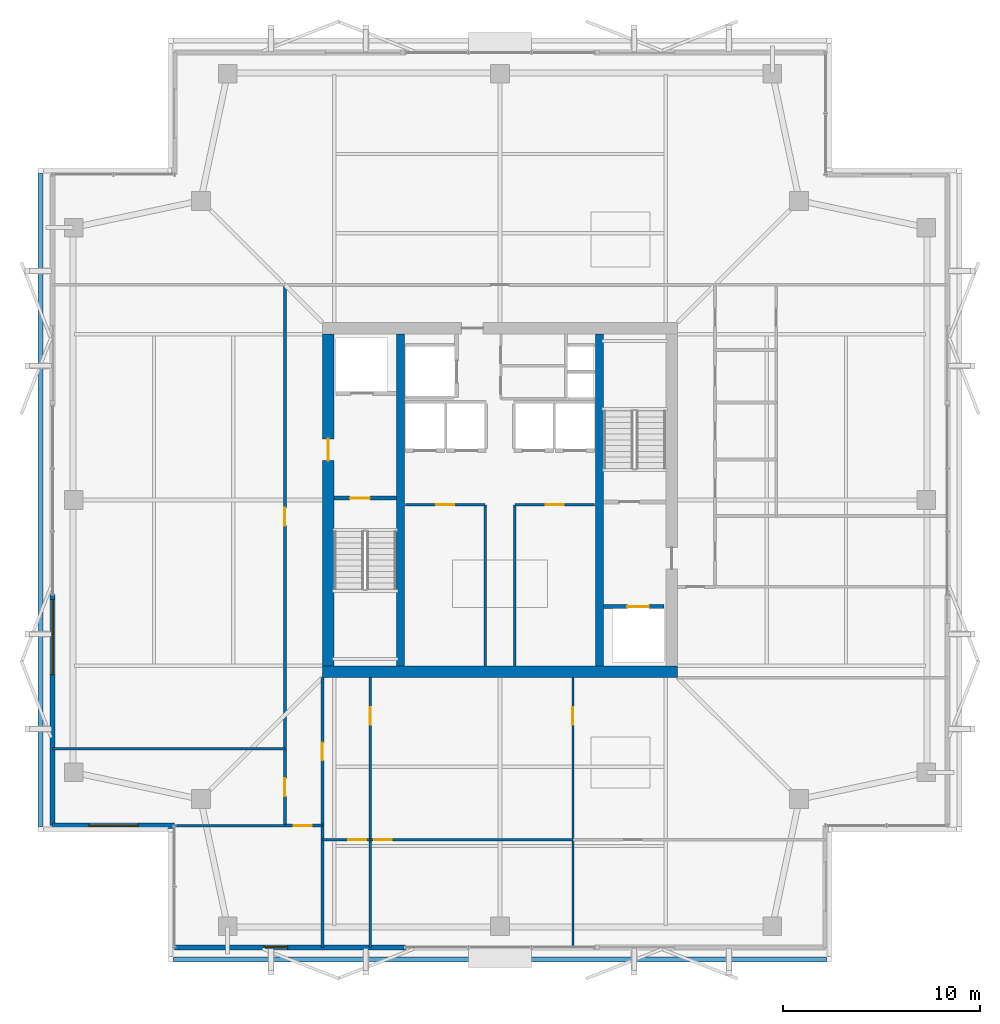
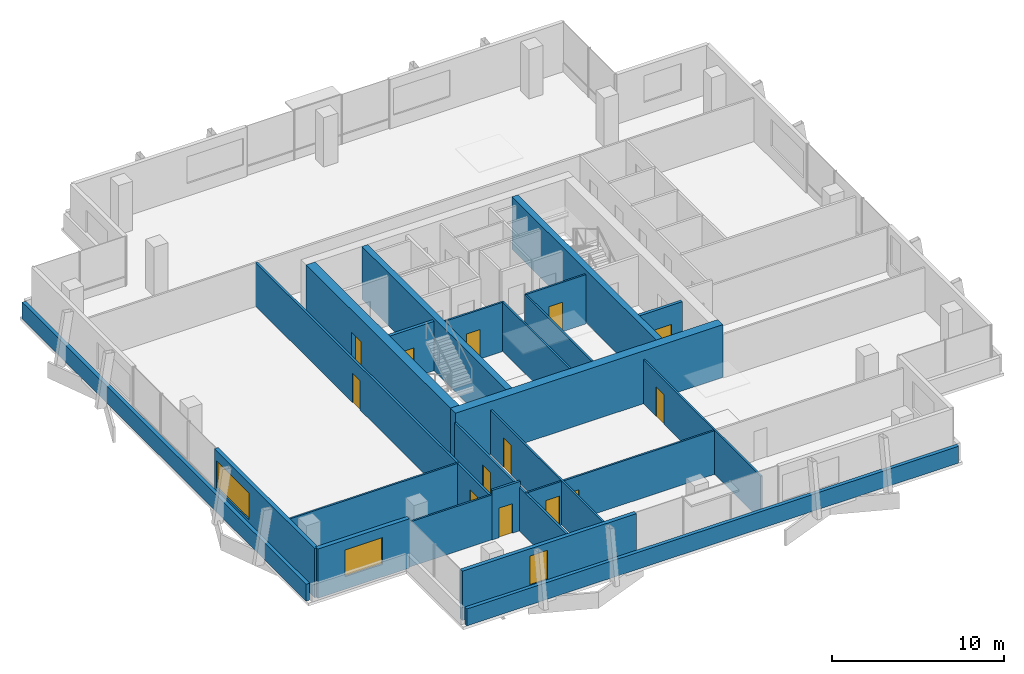
# One storey, part 21 of 26: 24 walls, 13 doors, 3 windows, 16 openings.
"""IFC4 building model written with IfcOpenShell, lengths in metres."""

from ifc_helpers import new_model, si_unit, direction, frame, frame_2d, origin, place, context, subcontext, project, spatial, rectangle, extrude, material, layer, layer_set, type_object, element, fill, save


model = new_model("IFC4")

# Units and contexts
model_context = context("Model", 3, precision=1e-05, world=origin(), true_north=direction((0.0, 1.0)))
body_context = subcontext(model_context, "Body", "Model", "MODEL_VIEW")
ifc_project = project(units=[si_unit("LENGTHUNIT", "METRE"), si_unit("AREAUNIT", "SQUARE_METRE"), si_unit("VOLUMEUNIT", "CUBIC_METRE"), si_unit("PLANEANGLEUNIT", "RADIAN"), si_unit("MASSUNIT", "GRAM", prefix="KILO")], contexts=[model_context])

# Site, building, storey
site_placement = place(None, origin())
site = spatial("IfcSite", under=ifc_project, at=site_placement, CompositionType="ELEMENT")
building_placement = place(site_placement, origin())
building = spatial("IfcBuilding", under=site, at=building_placement, Name="Belovzor Exchange Tower", CompositionType="ELEMENT")
storey_placement = place(building_placement, frame((0.0, 0.0, 295.5)))
storey = spatial("IfcBuildingStorey", under=building, at=storey_placement, Name="L73", CompositionType="ELEMENT", Elevation=295.5)

# Walls
ifc_material_1 = material(Name="Acoustic Plasterboard on Galvanised Studs", Category="gypsum")
ifc_layer_1 = layer(ifc_material_1, 0.1201171875)
ifc_layer_set_1 = layer_set([ifc_layer_1], Name="Acoustic Plasterboard on Galvanised Studs")
wall_type_1 = type_object("IfcWallType", Name="Acoustic Double-Stud Partition Wall 120", PredefinedType="PARTITIONING", material=ifc_layer_set_1)
wall_1_placement = place(storey_placement, frame((6.1298828125, 16.196044921875, 0.0), z_axis=(0.0, 0.0, 1.0), x_axis=(1.0, 0.0, 0.0)))
element("IfcWall", 1, at=wall_1_placement, inside=storey, type_object=wall_type_1, Name="W-P120 Partition Wall W-L73-WDIV-1", PredefinedType="PARTITIONING", context=body_context, shape_type="SweptSolid", body=[
    extrude(rectangle(XDim=11.77001953125, YDim=0.1201171875, at=frame_2d((5.885009765625, 0.0))), origin(), (0.0, 0.0, 1.0), 3.094970703125),
])
wall_2_placement = place(storey_placement, frame((12.300048828125, 12.300048828125, 0.0), z_axis=(0.0, 0.0, 1.0), x_axis=(1.0, 0.0, 0.0)))
element("IfcWall", 2, at=wall_2_placement, inside=storey, type_object=wall_type_1, Name="W-P120 Partition Wall W-L73-SWS", PredefinedType="PARTITIONING", context=body_context, shape_type="SweptSolid", body=[
    extrude(rectangle(XDim=5.599853515625, YDim=0.1201171875, at=frame_2d((2.7998046875, 0.0))), origin(), (0.0, 0.0, 1.0), 3.195068359375),
])

# Wall, opening, door
wall_3_placement = place(storey_placement, frame((19.800048828125, 11.5791015625, 0.0), z_axis=(0.0, 0.0, 1.0), x_axis=(1.0, 0.0, 0.0)))
wall_3 = element("IfcWall", 3, at=wall_3_placement, inside=storey, type_object=wall_type_1, Name="W-P120 Partition Wall W-L73-SHDIV-0", PredefinedType="PARTITIONING", context=body_context, shape_type="SweptSolid", body=[
    extrude(rectangle(XDim=2.4169921875, YDim=0.1201171875, at=frame_2d((1.20849609375, 0.0))), origin(), (0.0, 0.0, 1.0), 3.094970703125),
])
opening_1_placement = place(wall_3_placement, frame((1.31689453125, 0.0, 0.0)))
opening_1 = element("IfcOpeningElement", 4, at=opening_1_placement, cuts=wall_3, Name="Opening D-INT-090", PredefinedType="OPENING", context=body_context, shape_type="SweptSolid", body=[
    extrude(rectangle(XDim=0.89990234375, YDim=2.10009765625, at=frame_2d((0.449951171875, 1.050048828125))), frame((0.0, 0.070068359375, 0.0), z_axis=(0.0, -1.0, 0.0), x_axis=(1.0, 0.0, 0.0)), (0.0, 0.0, 1.0), 0.14013671875),
])
ifc_material_2 = material(Name="Veneered Hardwood Acoustic Leaf", Category="wood")
door_type_1 = type_object("IfcDoorType", Name="Trading Suite Acoustic Single Door 900x2100", OperationType="NOTDEFINED", PredefinedType="DOOR", material=ifc_material_2)
door_1_placement = place(opening_1_placement, origin())
door_1 = element("IfcDoor", 5, at=door_1_placement, inside=storey, type_object=door_type_1, Name="D-INT-090 Trading Suite Acoustic Single Door 900x2100", OperationType="SINGLE_SWING_LEFT", OverallHeight=2.10009765625, OverallWidth=0.89990234375, PredefinedType="DOOR", context=body_context, shape_type="SweptSolid", body=[
    extrude(rectangle(XDim=0.89990234375, YDim=2.10009765625, at=frame_2d((0.449951171875, 1.050048828125))), frame((0.0, 0.02490234375, 0.0), z_axis=(0.0, -1.0, 0.0), x_axis=(1.0, 0.0, 0.0)), (0.0, 0.0, 1.0), 0.050048828125),
])
fill(opening_1, door_1)

wall_4_placement = place(storey_placement, frame((22.217041015625, 6.1298828125, 0.0), z_axis=(0.0, 0.0, 1.0), x_axis=(0.0, 1.0, 0.0)))
wall_4 = element("IfcWall", 6, at=wall_4_placement, inside=storey, type_object=wall_type_1, Name="W-P120 Partition Wall W-L73-SDIV-1", PredefinedType="PARTITIONING", context=body_context, shape_type="SweptSolid", body=[
    extrude(rectangle(XDim=13.670166015625, YDim=0.1201171875, at=frame_2d((6.8349609375, 0.0))), origin(), (0.0, 0.0, 1.0), 3.135009765625),
])
opening_2_placement = place(wall_4_placement, frame((11.27001953125, 0.0, 0.0)))
opening_2 = element("IfcOpeningElement", 7, at=opening_2_placement, cuts=wall_4, Name="Opening D-INT-090", PredefinedType="OPENING", context=body_context, shape_type="SweptSolid", body=[
    extrude(rectangle(XDim=0.89990234375, YDim=2.10009765625, at=frame_2d((0.449951171875, 1.050048828125))), frame((0.0, 0.070068359375, 0.0), z_axis=(0.0, -1.0, 0.0), x_axis=(1.0, 0.0, 0.0)), (0.0, 0.0, 1.0), 0.14013671875),
])
door_2_placement = place(opening_2_placement, origin())
door_2 = element("IfcDoor", 8, at=door_2_placement, inside=storey, type_object=door_type_1, Name="D-INT-090 Trading Suite Acoustic Single Door 900x2100", OperationType="SINGLE_SWING_LEFT", OverallHeight=2.10009765625, OverallWidth=0.89990234375, PredefinedType="DOOR", context=body_context, shape_type="SweptSolid", body=[
    extrude(rectangle(XDim=0.89990234375, YDim=2.10009765625, at=frame_2d((0.449951171875, 1.050048828125))), frame((0.0, 0.02490234375, 0.0), z_axis=(0.0, -1.0, 0.0), x_axis=(1.0, 0.0, 0.0)), (0.0, 0.0, 1.0), 0.050048828125),
])
fill(opening_2, door_2)

wall_5_placement = place(storey_placement, frame((22.217041015625, 11.5791015625, 0.0), z_axis=(0.0, 0.0, 1.0), x_axis=(1.0, 0.0, 0.0)))
wall_5 = element("IfcWall", 9, at=wall_5_placement, inside=storey, type_object=wall_type_1, Name="W-P120 Partition Wall W-L73-SHDIV-1", PredefinedType="PARTITIONING", context=body_context, shape_type="SweptSolid", body=[
    extrude(rectangle(XDim=10.281005859375, YDim=0.1201171875, at=frame_2d((5.140625, 0.0))), origin(), (0.0, 0.0, 1.0), 3.094970703125),
])
opening_3_placement = place(wall_5_placement, frame((0.199951171875, 0.0, 0.0)))
opening_3 = element("IfcOpeningElement", 10, at=opening_3_placement, cuts=wall_5, Name="Opening D-INT-090", PredefinedType="OPENING", context=body_context, shape_type="SweptSolid", body=[
    extrude(rectangle(XDim=0.89990234375, YDim=2.10009765625, at=frame_2d((0.449951171875, 1.050048828125))), frame((0.0, 0.070068359375, 0.0), z_axis=(0.0, -1.0, 0.0), x_axis=(1.0, 0.0, 0.0)), (0.0, 0.0, 1.0), 0.14013671875),
])
door_3_placement = place(opening_3_placement, origin())
door_3 = element("IfcDoor", 11, at=door_3_placement, inside=storey, type_object=door_type_1, Name="D-INT-090 Trading Suite Acoustic Single Door 900x2100", OperationType="SINGLE_SWING_LEFT", OverallHeight=2.10009765625, OverallWidth=0.89990234375, PredefinedType="DOOR", context=body_context, shape_type="SweptSolid", body=[
    extrude(rectangle(XDim=0.89990234375, YDim=2.10009765625, at=frame_2d((0.449951171875, 1.050048828125))), frame((0.0, 0.02490234375, 0.0), z_axis=(0.0, -1.0, 0.0), x_axis=(1.0, 0.0, 0.0)), (0.0, 0.0, 1.0), 0.050048828125),
])
fill(opening_3, door_3)

wall_6_placement = place(storey_placement, frame((32.498046875, 6.1298828125, 0.0), z_axis=(0.0, 0.0, 1.0), x_axis=(0.0, 1.0, 0.0)))
wall_6 = element("IfcWall", 12, at=wall_6_placement, inside=storey, type_object=wall_type_1, Name="W-P120 Partition Wall W-L73-SDIV-2", PredefinedType="PARTITIONING", context=body_context, shape_type="SweptSolid", body=[
    extrude(rectangle(XDim=13.670166015625, YDim=0.1201171875, at=frame_2d((6.8349609375, 0.0))), origin(), (0.0, 0.0, 1.0), 3.135009765625),
])
opening_4_placement = place(wall_6_placement, frame((11.27001953125, 0.0, 0.0)))
opening_4 = element("IfcOpeningElement", 13, at=opening_4_placement, cuts=wall_6, Name="Opening D-INT-090", PredefinedType="OPENING", context=body_context, shape_type="SweptSolid", body=[
    extrude(rectangle(XDim=0.89990234375, YDim=2.10009765625, at=frame_2d((0.449951171875, 1.050048828125))), frame((0.0, 0.070068359375, 0.0), z_axis=(0.0, -1.0, 0.0), x_axis=(1.0, 0.0, 0.0)), (0.0, 0.0, 1.0), 0.14013671875),
])
door_4_placement = place(opening_4_placement, origin())
door_4 = element("IfcDoor", 14, at=door_4_placement, inside=storey, type_object=door_type_1, Name="D-INT-090 Trading Suite Acoustic Single Door 900x2100", OperationType="SINGLE_SWING_LEFT", OverallHeight=2.10009765625, OverallWidth=0.89990234375, PredefinedType="DOOR", context=body_context, shape_type="SweptSolid", body=[
    extrude(rectangle(XDim=0.89990234375, YDim=2.10009765625, at=frame_2d((0.449951171875, 1.050048828125))), frame((0.0, 0.02490234375, 0.0), z_axis=(0.0, -1.0, 0.0), x_axis=(1.0, 0.0, 0.0)), (0.0, 0.0, 1.0), 0.050048828125),
])
fill(opening_4, door_4)

ifc_material_3 = material(Name="Fire-Rated Plasterboard on Galvanised Studs", Category="gypsum")
ifc_layer_2 = layer(ifc_material_3, 0.1201171875)
ifc_layer_set_2 = layer_set([ifc_layer_2], Name="Fire-Rated Plasterboard on Galvanised Studs")
wall_type_2 = type_object("IfcWallType", Name="Fire-Rated Double-Stud Partition Wall 120", PredefinedType="PARTITIONING", material=ifc_layer_set_2)
wall_7_placement = place(storey_placement, frame((24.0, 28.550048828125, 0.0), z_axis=(0.0, 0.0, 1.0), x_axis=(1.0, 0.0, 0.0)))
wall_7 = element("IfcWall", 15, at=wall_7_placement, inside=storey, type_object=wall_type_2, Name="W-P120F Partition Wall W-CRWB-L73-N", PredefinedType="PARTITIONING", context=body_context, shape_type="SweptSolid", body=[
    extrude(rectangle(XDim=4.050048828125, YDim=0.1201171875, at=frame_2d((2.02490234375, 0.0))), origin(), (0.0, 0.0, 1.0), 3.510009765625),
])
opening_5_placement = place(wall_7_placement, frame((1.574951171875, 0.0, 0.0)))
opening_5 = element("IfcOpeningElement", 16, at=opening_5_placement, cuts=wall_7, Name="Opening D-FD60-090", PredefinedType="OPENING", context=body_context, shape_type="SweptSolid", body=[
    extrude(rectangle(XDim=0.89990234375, YDim=2.10009765625, at=frame_2d((0.449951171875, 1.050048828125))), frame((0.0, 0.070068359375, 0.0), z_axis=(0.0, -1.0, 0.0), x_axis=(1.0, 0.0, 0.0)), (0.0, 0.0, 1.0), 0.14013671875),
])
ifc_material_4 = material(Name="Acoustic Timber Fire Leaf", Category="wood")
door_type_2 = type_object("IfcDoorType", Name="Core Service & Restroom Fire Door 900x2100", OperationType="NOTDEFINED", PredefinedType="DOOR", material=ifc_material_4)
door_5_placement = place(opening_5_placement, origin())
door_5 = element("IfcDoor", 17, at=door_5_placement, inside=storey, type_object=door_type_2, Name="D-FD60-090 Core Service & Restroom Fire Door 900x2100", OperationType="SINGLE_SWING_LEFT", OverallHeight=2.10009765625, OverallWidth=0.89990234375, PredefinedType="DOOR", context=body_context, shape_type="SweptSolid", body=[
    extrude(rectangle(XDim=0.89990234375, YDim=2.10009765625, at=frame_2d((0.449951171875, 1.050048828125))), frame((0.0, 0.02490234375, 0.0), z_axis=(0.0, -1.0, 0.0), x_axis=(1.0, 0.0, 0.0)), (0.0, 0.0, 1.0), 0.050048828125),
])
fill(opening_5, door_5)

# Wall
wall_8_placement = place(storey_placement, frame((28.050048828125, 20.39990234375, 0.0), z_axis=(0.0, 0.0, 1.0), x_axis=(0.0, 1.0, 0.0)))
element("IfcWall", 18, at=wall_8_placement, inside=storey, type_object=wall_type_2, Name="W-P120F Partition Wall W-CRWB-L73-E", PredefinedType="PARTITIONING", context=body_context, shape_type="SweptSolid", body=[
    extrude(rectangle(XDim=8.150146484375, YDim=0.1201171875, at=frame_2d((4.0751953125, 0.0))), origin(), (0.0, 0.0, 1.0), 3.510009765625),
])

# Wall, opening, door
wall_9_placement = place(storey_placement, frame((29.550048828125, 28.550048828125, 0.0), z_axis=(0.0, 0.0, 1.0), x_axis=(1.0, 0.0, 0.0)))
wall_9 = element("IfcWall", 19, at=wall_9_placement, inside=storey, type_object=wall_type_2, Name="W-P120F Partition Wall W-CREB-L73-N", PredefinedType="PARTITIONING", context=body_context, shape_type="SweptSolid", body=[
    extrude(rectangle(XDim=4.050048828125, YDim=0.1201171875, at=frame_2d((2.02490234375, 0.0))), origin(), (0.0, 0.0, 1.0), 3.510009765625),
])
opening_6_placement = place(wall_9_placement, frame((1.574951171875, 0.0, 0.0)))
opening_6 = element("IfcOpeningElement", 20, at=opening_6_placement, cuts=wall_9, Name="Opening D-FD60-090", PredefinedType="OPENING", context=body_context, shape_type="SweptSolid", body=[
    extrude(rectangle(XDim=0.89990234375, YDim=2.10009765625, at=frame_2d((0.449951171875, 1.050048828125))), frame((0.0, 0.070068359375, 0.0), z_axis=(0.0, -1.0, 0.0), x_axis=(1.0, 0.0, 0.0)), (0.0, 0.0, 1.0), 0.14013671875),
])
door_6_placement = place(opening_6_placement, origin())
door_6 = element("IfcDoor", 21, at=door_6_placement, inside=storey, type_object=door_type_2, Name="D-FD60-090 Core Service & Restroom Fire Door 900x2100", OperationType="SINGLE_SWING_RIGHT", OverallHeight=2.10009765625, OverallWidth=0.89990234375, PredefinedType="DOOR", context=body_context, shape_type="SweptSolid", body=[
    extrude(rectangle(XDim=0.89990234375, YDim=2.10009765625, at=frame_2d((0.449951171875, 1.050048828125))), frame((0.0, 0.02490234375, 0.0), z_axis=(0.0, -1.0, 0.0), x_axis=(1.0, 0.0, 0.0)), (0.0, 0.0, 1.0), 0.050048828125),
])
fill(opening_6, door_6)

# Wall
wall_10_placement = place(storey_placement, frame((29.550048828125, 20.39990234375, 0.0), z_axis=(0.0, 0.0, 1.0), x_axis=(0.0, 1.0, 0.0)))
element("IfcWall", 22, at=wall_10_placement, inside=storey, type_object=wall_type_2, Name="W-P120F Partition Wall W-CREB-L73-W", PredefinedType="PARTITIONING", context=body_context, shape_type="SweptSolid", body=[
    extrude(rectangle(XDim=8.150146484375, YDim=0.1201171875, at=frame_2d((4.0751953125, 0.0))), origin(), (0.0, 0.0, 1.0), 3.510009765625),
])

# Wall, opening, door
ifc_material_5 = material(Name="Fire-Rated Gypsum Block and Mineral Wool", Category="gypsum")
ifc_layer_3 = layer(ifc_material_5, 0.14990234375)
ifc_layer_set_3 = layer_set([ifc_layer_3], Name="Fire-Rated Gypsum Block and Mineral Wool")
wall_type_3 = type_object("IfcWallType", Name="Fire-Rated Gypsum Block Corridor Wall 150", PredefinedType="PARTITIONING", material=ifc_layer_set_3)
wall_11_placement = place(storey_placement, frame((17.89990234375, 12.300048828125, 0.0), z_axis=(0.0, 0.0, 1.0), x_axis=(1.0, 0.0, 0.0)))
wall_11 = element("IfcWall", 23, at=wall_11_placement, inside=storey, type_object=wall_type_3, Name="W-P150 Partition Wall W-L73-CW-END", PredefinedType="PARTITIONING", context=body_context, shape_type="SweptSolid", body=[
    extrude(rectangle(XDim=1.900146484375, YDim=0.14990234375, at=frame_2d((0.9501953125, 0.0))), origin(), (0.0, 0.0, 1.0), 3.510009765625),
])
opening_7_placement = place(wall_11_placement, frame((0.449951171875, 0.0, 0.0)))
opening_7 = element("IfcOpeningElement", 24, at=opening_7_placement, cuts=wall_11, Name="Opening D-FD60-090", PredefinedType="OPENING", context=body_context, shape_type="SweptSolid", body=[
    extrude(rectangle(XDim=0.89990234375, YDim=2.10009765625, at=frame_2d((0.449951171875, 1.050048828125))), frame((0.0, 0.0849609375, 0.0), z_axis=(0.0, -1.0, 0.0), x_axis=(1.0, 0.0, 0.0)), (0.0, 0.0, 1.0), 0.169921875),
])
door_7_placement = place(opening_7_placement, origin())
door_7 = element("IfcDoor", 25, at=door_7_placement, inside=storey, type_object=door_type_2, Name="D-FD60-090 Core Service & Restroom Fire Door 900x2100", OperationType="SINGLE_SWING_LEFT", OverallHeight=2.10009765625, OverallWidth=0.89990234375, PredefinedType="DOOR", context=body_context, shape_type="SweptSolid", body=[
    extrude(rectangle(XDim=0.89990234375, YDim=2.10009765625, at=frame_2d((0.449951171875, 1.050048828125))), frame((0.0, 0.02490234375, 0.0), z_axis=(0.0, -1.0, 0.0), x_axis=(1.0, 0.0, 0.0)), (0.0, 0.0, 1.0), 0.050048828125),
])
fill(opening_7, door_7)

wall_12_placement = place(storey_placement, frame((19.800048828125, 6.1298828125, 0.0), z_axis=(0.0, 0.0, 1.0), x_axis=(0.0, 1.0, 0.0)))
wall_12 = element("IfcWall", 26, at=wall_12_placement, inside=storey, type_object=wall_type_3, Name="W-P150 Partition Wall W-L73-CW-E", PredefinedType="PARTITIONING", context=body_context, shape_type="SweptSolid", body=[
    extrude(rectangle(XDim=13.670166015625, YDim=0.14990234375, at=frame_2d((6.8349609375, 0.0))), origin(), (0.0, 0.0, 1.0), 3.094970703125),
])
opening_8_placement = place(wall_12_placement, frame((9.469970703125, 0.0, 0.0)))
opening_8 = element("IfcOpeningElement", 27, at=opening_8_placement, cuts=wall_12, Name="Opening D-FD60-090", PredefinedType="OPENING", context=body_context, shape_type="SweptSolid", body=[
    extrude(rectangle(XDim=0.89990234375, YDim=2.10009765625, at=frame_2d((0.449951171875, 1.050048828125))), frame((0.0, 0.0849609375, 0.0), z_axis=(0.0, -1.0, 0.0), x_axis=(1.0, 0.0, 0.0)), (0.0, 0.0, 1.0), 0.169921875),
])
door_8_placement = place(opening_8_placement, origin())
door_8 = element("IfcDoor", 28, at=door_8_placement, inside=storey, type_object=door_type_2, Name="D-FD60-090 Core Service & Restroom Fire Door 900x2100", OperationType="SINGLE_SWING_RIGHT", OverallHeight=2.10009765625, OverallWidth=0.89990234375, PredefinedType="DOOR", context=body_context, shape_type="SweptSolid", body=[
    extrude(rectangle(XDim=0.89990234375, YDim=2.10009765625, at=frame_2d((0.449951171875, 1.050048828125))), frame((0.0, 0.02490234375, 0.0), z_axis=(0.0, -1.0, 0.0), x_axis=(1.0, 0.0, 0.0)), (0.0, 0.0, 1.0), 0.050048828125),
])
fill(opening_8, door_8)

# Wall, openings, doors
wall_13_placement = place(storey_placement, frame((17.89990234375, 12.300048828125, 0.0), z_axis=(0.0, 0.0, 1.0), x_axis=(0.0, 1.0, 0.0)))
wall_13 = element("IfcWall", 29, at=wall_13_placement, inside=storey, type_object=wall_type_3, Name="W-P150 Partition Wall W-L73-CW", PredefinedType="PARTITIONING", context=body_context, shape_type="SweptSolid", body=[
    extrude(rectangle(XDim=27.39990234375, YDim=0.14990234375, at=frame_2d((13.699951171875, 0.0))), origin(), (0.0, 0.0, 1.0), 3.094970703125),
])
opening_9_placement = place(wall_13_placement, frame((1.498046875, 0.0, 0.0)))
opening_9 = element("IfcOpeningElement", 30, at=opening_9_placement, cuts=wall_13, Name="Opening D-INT-090", PredefinedType="OPENING", context=body_context, shape_type="SweptSolid", body=[
    extrude(rectangle(XDim=0.89990234375, YDim=2.10009765625, at=frame_2d((0.449951171875, 1.050048828125))), frame((0.0, 0.0849609375, 0.0), z_axis=(0.0, -1.0, 0.0), x_axis=(1.0, 0.0, 0.0)), (0.0, 0.0, 1.0), 0.169921875),
])
opening_10_placement = place(wall_13_placement, frame((15.197998046875, 0.0, 0.0)))
opening_10 = element("IfcOpeningElement", 31, at=opening_10_placement, cuts=wall_13, Name="Opening D-INT-090", PredefinedType="OPENING", context=body_context, shape_type="SweptSolid", body=[
    extrude(rectangle(XDim=0.89990234375, YDim=2.10009765625, at=frame_2d((0.449951171875, 1.050048828125))), frame((0.0, 0.0849609375, 0.0), z_axis=(0.0, -1.0, 0.0), x_axis=(1.0, 0.0, 0.0)), (0.0, 0.0, 1.0), 0.169921875),
])
door_9_placement = place(opening_9_placement, origin())
door_9 = element("IfcDoor", 32, at=door_9_placement, inside=storey, type_object=door_type_1, Name="D-INT-090 Trading Suite Acoustic Single Door 900x2100", OperationType="SINGLE_SWING_RIGHT", OverallHeight=2.10009765625, OverallWidth=0.89990234375, PredefinedType="DOOR", context=body_context, shape_type="SweptSolid", body=[
    extrude(rectangle(XDim=0.89990234375, YDim=2.10009765625, at=frame_2d((0.449951171875, 1.050048828125))), frame((0.0, 0.02490234375, 0.0), z_axis=(0.0, -1.0, 0.0), x_axis=(1.0, 0.0, 0.0)), (0.0, 0.0, 1.0), 0.050048828125),
])
fill(opening_9, door_9)
door_10_placement = place(opening_10_placement, origin())
door_10 = element("IfcDoor", 33, at=door_10_placement, inside=storey, type_object=door_type_1, Name="D-INT-090 Trading Suite Acoustic Single Door 900x2100", OperationType="SINGLE_SWING_LEFT", OverallHeight=2.10009765625, OverallWidth=0.89990234375, PredefinedType="DOOR", context=body_context, shape_type="SweptSolid", body=[
    extrude(rectangle(XDim=0.89990234375, YDim=2.10009765625, at=frame_2d((0.449951171875, 1.050048828125))), frame((0.0, 0.02490234375, 0.0), z_axis=(0.0, -1.0, 0.0), x_axis=(1.0, 0.0, 0.0)), (0.0, 0.0, 1.0), 0.050048828125),
])
fill(opening_10, door_10)

# Wall, opening, window
ifc_material_6 = material(Name="Precast concrete C40/50", Category="concrete")
ifc_layer_4 = layer(ifc_material_6, 0.280029296875)
ifc_layer_set_4 = layer_set([ifc_layer_4], Name="Precast concrete C40/50")
wall_type_4 = type_object("IfcWallType", Name="Precast Concrete Notched Corner Frame Wall 280", PredefinedType="SOLIDWALL", material=ifc_layer_set_4)
wall_14_placement = place(storey_placement, frame((12.300048828125, 12.300048828125, 0.0), z_axis=(0.0, 0.0, 1.0), x_axis=(-1.0, 0.0, 0.0)))
wall_14 = element("IfcWall", 34, at=wall_14_placement, inside=storey, type_object=wall_type_4, Name="W-CRN280 Precast Concrete Notched Corner Frame Wall 280 L73", PredefinedType="SOLIDWALL", context=body_context, shape_type="SweptSolid", body=[
    extrude(rectangle(XDim=6.170166015625, YDim=0.280029296875, at=frame_2d((3.0849609375, 0.0))), origin(), (0.0, 0.0, 1.0), 3.510009765625),
])
opening_11_placement = place(wall_14_placement, frame((1.8349609375, 0.0, 0.89990234375)))
opening_11 = element("IfcOpeningElement", 35, at=opening_11_placement, cuts=wall_14, Name="Opening WN-CRN250", PredefinedType="OPENING", context=body_context, shape_type="SweptSolid", body=[
    extrude(rectangle(XDim=2.5, YDim=1.89990234375, at=frame_2d((1.25, 0.949951171875))), frame((0.0, 0.14990234375, 0.0), z_axis=(0.0, -1.0, 0.0), x_axis=(1.0, 0.0, 0.0)), (0.0, 0.0, 1.0), 0.300048828125),
])
ifc_material_7 = material(Name="Thermally Broken Aluminium and Triple Glazing", Category="aluminium")
window_type_1 = type_object("IfcWindowType", Name="Streamline Moderne Corner Wrap Ribbon Window 2500x1900", PartitioningType="SINGLE_PANEL", PredefinedType="WINDOW", material=ifc_material_7)
window_1_placement = place(opening_11_placement, origin())
window_1 = element("IfcWindow", 36, at=window_1_placement, inside=storey, type_object=window_type_1, Name="WN-CRN250 Streamline Moderne Corner Wrap Ribbon Window 2500x1900", OverallHeight=1.89990234375, OverallWidth=2.5, PartitioningType="SINGLE_PANEL", PredefinedType="WINDOW", context=body_context, shape_type="SweptSolid", body=[
    extrude(rectangle(XDim=2.5, YDim=1.89990234375, at=frame_2d((1.25, 0.949951171875))), frame((0.0, 0.030029296875, 0.0), z_axis=(0.0, -1.0, 0.0), x_axis=(1.0, 0.0, 0.0)), (0.0, 0.0, 1.0), 0.06005859375),
])
fill(opening_11, window_1)

ifc_material_8 = material(Name="Precast concrete C40/50", Category="concrete")
ifc_layer_5 = layer(ifc_material_8, 0.260009765625)
ifc_layer_set_5 = layer_set([ifc_layer_5], Name="Precast concrete C40/50")
wall_type_5 = type_object("IfcWallType", Name="Precast Concrete Perimeter Loggia Frame Wall 260", PredefinedType="SOLIDWALL", material=ifc_layer_set_5)
wall_15_placement = place(storey_placement, frame((24.0, 6.1298828125, 0.0), z_axis=(0.0, 0.0, 1.0), x_axis=(-1.0, 0.0, 0.0)))
wall_15 = element("IfcWall", 37, at=wall_15_placement, inside=storey, type_object=wall_type_5, Name="W-EXT260 Precast Concrete Perimeter Loggia Frame Wall 260 L73", PredefinedType="SOLIDWALL", context=body_context, shape_type="SweptSolid", body=[
    extrude(rectangle(XDim=11.699951171875, YDim=0.260009765625, at=frame_2d((5.85009765625, 0.0))), origin(), (0.0, 0.0, 1.0), 3.510009765625),
])
opening_12_placement = place(wall_15_placement, frame((5.964111328125, 0.0, 0.89990234375)))
opening_12 = element("IfcOpeningElement", 38, at=opening_12_placement, cuts=wall_15, Name="Opening WN-CRN120", PredefinedType="OPENING", context=body_context, shape_type="SweptSolid", body=[
    extrude(rectangle(XDim=1.199951171875, YDim=2.10009765625, at=frame_2d((0.60009765625, 1.050048828125))), frame((0.0, 0.139892578125, 0.0), z_axis=(0.0, -1.0, 0.0), x_axis=(1.0, 0.0, 0.0)), (0.0, 0.0, 1.0), 0.280029296875),
])
ifc_material_9 = material(Name="Thermally Broken Aluminium and Triple Glazing", Category="aluminium")
window_type_2 = type_object("IfcWindowType", Name="Streamline Notched Corner Window 1200x2100", PartitioningType="SINGLE_PANEL", PredefinedType="WINDOW", material=ifc_material_9)
window_2_placement = place(opening_12_placement, origin())
window_2 = element("IfcWindow", 39, at=window_2_placement, inside=storey, type_object=window_type_2, Name="WN-CRN120 Streamline Notched Corner Window 1200x2100", OverallHeight=2.10009765625, OverallWidth=1.199951171875, PartitioningType="SINGLE_PANEL", PredefinedType="WINDOW", context=body_context, shape_type="SweptSolid", body=[
    extrude(rectangle(XDim=1.199951171875, YDim=2.10009765625, at=frame_2d((0.60009765625, 1.050048828125))), frame((0.0, 0.030029296875, 0.0), z_axis=(0.0, -1.0, 0.0), x_axis=(1.0, 0.0, 0.0)), (0.0, 0.0, 1.0), 0.06005859375),
])
fill(opening_12, window_2)

wall_16_placement = place(storey_placement, frame((6.1298828125, 12.300048828125, 0.0), z_axis=(0.0, 0.0, 1.0), x_axis=(0.0, 1.0, 0.0)))
wall_16 = element("IfcWall", 40, at=wall_16_placement, inside=storey, type_object=wall_type_5, Name="W-EXT260 Precast Concrete Perimeter Loggia Frame Wall 260 L73", PredefinedType="SOLIDWALL", context=body_context, shape_type="SweptSolid", body=[
    extrude(rectangle(XDim=11.699951171875, YDim=0.260009765625, at=frame_2d((5.85009765625, 0.0))), origin(), (0.0, 0.0, 1.0), 3.510009765625),
])
opening_13_placement = place(wall_16_placement, frame((7.64990234375, 0.0, 0.89990234375)))
opening_13 = element("IfcOpeningElement", 41, at=opening_13_placement, cuts=wall_16, Name="Opening WN-RIB380", PredefinedType="OPENING", context=body_context, shape_type="SweptSolid", body=[
    extrude(rectangle(XDim=3.800048828125, YDim=1.89990234375, at=frame_2d((1.89990234375, 0.949951171875))), frame((0.0, 0.139892578125, 0.0), z_axis=(0.0, -1.0, 0.0), x_axis=(1.0, 0.0, 0.0)), (0.0, 0.0, 1.0), 0.280029296875),
])
ifc_material_10 = material(Name="Thermally Broken Aluminium and Triple Glazing", Category="aluminium")
window_type_3 = type_object("IfcWindowType", Name="Streamline Moderne Horizontal Ribbon Window 3800x1900", PartitioningType="SINGLE_PANEL", PredefinedType="WINDOW", material=ifc_material_10)
window_3_placement = place(opening_13_placement, origin())
window_3 = element("IfcWindow", 42, at=window_3_placement, inside=storey, type_object=window_type_3, Name="WN-RIB380 Streamline Moderne Horizontal Ribbon Window 3800x1900", OverallHeight=1.89990234375, OverallWidth=3.800048828125, PartitioningType="SINGLE_PANEL", PredefinedType="WINDOW", context=body_context, shape_type="SweptSolid", body=[
    extrude(rectangle(XDim=3.800048828125, YDim=1.89990234375, at=frame_2d((1.89990234375, 0.949951171875))), frame((0.0, 0.030029296875, 0.0), z_axis=(0.0, -1.0, 0.0), x_axis=(1.0, 0.0, 0.0)), (0.0, 0.0, 1.0), 0.06005859375),
])
fill(opening_13, window_3)

# Walls
ifc_material_11 = material(Name="Precast concrete C40/50", Category="concrete")
ifc_layer_6 = layer(ifc_material_11, 0.239990234375)
ifc_layer_set_6 = layer_set([ifc_layer_6], Name="Precast concrete C40/50")
wall_type_6 = type_object("IfcWallType", Name="Precast Stone Setback Roof Parapet Wall 240", PredefinedType="PARAPET", material=ifc_layer_set_6)
for number, where, z_axis, x_axis, name in (
    (43, (12.2548828125, 5.52001953125, 0.0), (0.0, 0.0, 1.0), (1.0, 0.0, 0.0), "W-PAR240 Precast Stone Setback Roof Parapet Wall 240 L73"),
    (44, (5.52001953125, 45.344970703125, 0.0), (0.0, 0.0, 1.0), (0.0, -1.0, 0.0), "W-PAR240 Precast Stone Setback Roof Parapet Wall 240 L73"),
):
    element("IfcWall", number, at=place(storey_placement, frame(where, z_axis=z_axis, x_axis=x_axis)), inside=storey, type_object=wall_type_6, Name=name, PredefinedType="PARAPET", context=body_context, shape_type="SweptSolid", body=[
        extrude(rectangle(XDim=33.090087890625, YDim=0.239990234375, at=frame_2d((16.544921875, 0.0))), origin(), (0.0, 0.0, 1.0), 1.199951171875),
    ])
ifc_material_12 = material(Name="Concrete C50/60", Category="concrete")
ifc_layer_7 = layer(ifc_material_12, 0.39990234375)
ifc_layer_set_7 = layer_set([ifc_layer_7], Name="Concrete C50/60")
wall_type_7 = type_object("IfcWallType", Name="Reinforced Concrete Core Internal Web Wall 400", PredefinedType="SHEAR", material=ifc_layer_set_7)
for number, where, z_axis, x_axis, name in (
    (45, (23.75, 20.39990234375, 0.0), (0.0, 0.0, 1.0), (0.0, 1.0, 0.0), "CW-W040 Core Internal Web Wall L73 WL"),
    (46, (33.85009765625, 20.39990234375, 0.0), (0.0, 0.0, 1.0), (0.0, 1.0, 0.0), "CW-W040 Core Internal Web Wall L73 ER"),
):
    element("IfcWall", number, at=place(storey_placement, frame(where, z_axis=z_axis, x_axis=x_axis)), inside=storey, type_object=wall_type_7, Name=name, PredefinedType="SHEAR", context=body_context, shape_type="SweptSolid", body=[
        extrude(rectangle(XDim=16.800048828125, YDim=0.39990234375, at=frame_2d((8.39990234375, 0.0))), origin(), (0.0, 0.0, 1.0), 3.75),
    ])

# Wall, opening, door
ifc_material_13 = material(Name="Concrete C50/60", Category="concrete")
ifc_layer_8 = layer(ifc_material_13, 0.199951171875)
ifc_layer_set_8 = layer_set([ifc_layer_8], Name="Concrete C50/60")
wall_type_8 = type_object("IfcWallType", Name="Reinforced Concrete Core Shaft Shear Wall 200", PredefinedType="SHEAR", material=ifc_layer_set_8)
wall_17_placement = place(storey_placement, frame((20.39990234375, 28.89990234375, 0.0), z_axis=(0.0, 0.0, 1.0), x_axis=(1.0, 0.0, 0.0)))
wall_17 = element("IfcWall", 47, at=wall_17_placement, inside=storey, type_object=wall_type_8, Name="W-C200S Core Shaft Wall W-CORE-L73-FFLW1", PredefinedType="SHEAR", context=body_context, shape_type="SweptSolid", body=[
    extrude(rectangle(XDim=3.150146484375, YDim=0.199951171875, at=frame_2d((1.5751953125, 0.0))), origin(), (0.0, 0.0, 1.0), 3.510009765625),
])
opening_14_placement = place(wall_17_placement, frame((0.800048828125, 0.0, 0.0)))
opening_14 = element("IfcOpeningElement", 48, at=opening_14_placement, cuts=wall_17, Name="Opening D-FD90-100", PredefinedType="OPENING", context=body_context, shape_type="SweptSolid", body=[
    extrude(rectangle(XDim=1.0, YDim=2.10009765625, at=frame_2d((0.5, 1.050048828125))), frame((0.0, 0.10986328125, 0.0), z_axis=(0.0, -1.0, 0.0), x_axis=(1.0, 0.0, 0.0)), (0.0, 0.0, 1.0), 0.219970703125),
])
ifc_material_14 = material(Name="Fire-Rated Galvanised Steel Leaf", Category="steel")
door_type_3 = type_object("IfcDoorType", Name="Protected Stairwell Single Fire Door 1000x2100", OperationType="NOTDEFINED", PredefinedType="DOOR", material=ifc_material_14)
door_11_placement = place(opening_14_placement, origin())
door_11 = element("IfcDoor", 49, at=door_11_placement, inside=storey, type_object=door_type_3, Name="D-FD90-100 Protected Stairwell Single Fire Door 1000x2100", OperationType="SINGLE_SWING_RIGHT", OverallHeight=2.10009765625, OverallWidth=1.0, PredefinedType="DOOR", context=body_context, shape_type="SweptSolid", body=[
    extrude(rectangle(XDim=1.0, YDim=2.10009765625, at=frame_2d((0.5, 1.050048828125))), frame((0.0, 0.02490234375, 0.0), z_axis=(0.0, -1.0, 0.0), x_axis=(1.0, 0.0, 0.0)), (0.0, 0.0, 1.0), 0.050048828125),
])
fill(opening_14, door_11)

wall_18_placement = place(storey_placement, frame((34.050048828125, 23.39990234375, 0.0), z_axis=(0.0, 0.0, 1.0), x_axis=(1.0, 0.0, 0.0)))
wall_18 = element("IfcWall", 50, at=wall_18_placement, inside=storey, type_object=wall_type_8, Name="W-C200S Core Shaft Wall W-SH-L73-FFL-02", PredefinedType="SHEAR", context=body_context, shape_type="SweptSolid", body=[
    extrude(rectangle(XDim=3.050048828125, YDim=0.199951171875, at=frame_2d((1.52490234375, 0.0))), origin(), (0.0, 0.0, 1.0), 3.510009765625),
])
opening_15_placement = place(wall_18_placement, frame((1.199951171875, 0.0, 0.0)))
opening_15 = element("IfcOpeningElement", 51, at=opening_15_placement, cuts=wall_18, Name="Opening LD-110", PredefinedType="OPENING", context=body_context, shape_type="SweptSolid", body=[
    extrude(rectangle(XDim=1.10009765625, YDim=2.14990234375, at=frame_2d((0.550048828125, 1.074951171875))), frame((0.0, 0.10986328125, 0.0), z_axis=(0.0, -1.0, 0.0), x_axis=(1.0, 0.0, 0.0)), (0.0, 0.0, 1.0), 0.219970703125),
])
ifc_material_15 = material(Name="Stainless Steel Grade 304", Category="steel")
door_type_4 = type_object("IfcDoorType", Name="Automated Stainless Steel Lift Landing Door 1100x2150", OperationType="SLIDING_TO_RIGHT", PredefinedType="DOOR", material=ifc_material_15)
door_12_placement = place(opening_15_placement, origin())
door_12 = element("IfcDoor", 52, at=door_12_placement, inside=storey, type_object=door_type_4, Name="LD-110 Automated Stainless Steel Lift Landing Door 1100x2150", OperationType="SLIDING_TO_RIGHT", OverallHeight=2.14990234375, OverallWidth=1.10009765625, PredefinedType="DOOR", context=body_context, shape_type="SweptSolid", body=[
    extrude(rectangle(XDim=1.10009765625, YDim=2.14990234375, at=frame_2d((0.550048828125, 1.074951171875))), frame((0.0, 0.02490234375, 0.0), z_axis=(0.0, -1.0, 0.0), x_axis=(1.0, 0.0, 0.0)), (0.0, 0.0, 1.0), 0.050048828125),
])
fill(opening_15, door_12)

# Wall
ifc_material_16 = material(Name="Concrete C50/60", Category="concrete")
ifc_layer_9 = layer(ifc_material_16, 0.60009765625)
ifc_layer_set_9 = layer_set([ifc_layer_9], Name="Concrete C50/60")
wall_type_9 = type_object("IfcWallType", Name="Reinforced Concrete Core Shear Wall 600", PredefinedType="SHEAR", material=ifc_layer_set_9)
wall_19_placement = place(storey_placement, frame((19.800048828125, 20.10009765625, 0.0), z_axis=(0.0, 0.0, 1.0), x_axis=(1.0, 0.0, 0.0)))
element("IfcWall", 53, at=wall_19_placement, inside=storey, type_object=wall_type_9, Name="CW-S060 Core Shear Wall L73 S", PredefinedType="SHEAR", context=body_context, shape_type="SweptSolid", body=[
    extrude(rectangle(XDim=18.0, YDim=0.60009765625, at=frame_2d((9.0, 0.0))), origin(), (0.0, 0.0, 1.0), 3.75),
])

# Wall, opening, door
wall_20_placement = place(storey_placement, frame((20.10009765625, 20.39990234375, 0.0), z_axis=(0.0, 0.0, 1.0), x_axis=(0.0, 1.0, 0.0)))
wall_20 = element("IfcWall", 54, at=wall_20_placement, inside=storey, type_object=wall_type_9, Name="CW-S060 Core Shear Wall L73 W", PredefinedType="SHEAR", context=body_context, shape_type="SweptSolid", body=[
    extrude(rectangle(XDim=16.800048828125, YDim=0.60009765625, at=frame_2d((8.39990234375, 0.0))), origin(), (0.0, 0.0, 1.0), 3.75),
])
opening_16_placement = place(wall_20_placement, frame((10.39990234375, 0.0, 0.0)))
opening_16 = element("IfcOpeningElement", 55, at=opening_16_placement, cuts=wall_20, Name="Opening D-FD90-110", PredefinedType="OPENING", context=body_context, shape_type="SweptSolid", body=[
    extrude(rectangle(XDim=1.10009765625, YDim=2.14990234375, at=frame_2d((0.550048828125, 1.074951171875))), frame((0.0, 0.31005859375, 0.0), z_axis=(0.0, -1.0, 0.0), x_axis=(1.0, 0.0, 0.0)), (0.0, 0.0, 1.0), 0.6201171875),
])
ifc_material_17 = material(Name="Fire-Rated Galvanised Steel Leaf", Category="steel")
door_type_5 = type_object("IfcDoorType", Name="Protected Escape Vestibule Fire Door 1100x2150", OperationType="NOTDEFINED", PredefinedType="DOOR", material=ifc_material_17)
door_13_placement = place(opening_16_placement, origin())
door_13 = element("IfcDoor", 56, at=door_13_placement, inside=storey, type_object=door_type_5, Name="D-FD90-110 Protected Escape Vestibule Fire Door 1100x2150", OperationType="SINGLE_SWING_LEFT", OverallHeight=2.14990234375, OverallWidth=1.10009765625, PredefinedType="DOOR", context=body_context, shape_type="SweptSolid", body=[
    extrude(rectangle(XDim=1.10009765625, YDim=2.14990234375, at=frame_2d((0.550048828125, 1.074951171875))), frame((0.0, 0.02490234375, 0.0), z_axis=(0.0, -1.0, 0.0), x_axis=(1.0, 0.0, 0.0)), (0.0, 0.0, 1.0), 0.050048828125),
])
fill(opening_16, door_13)

save(model, "model.ifc")
